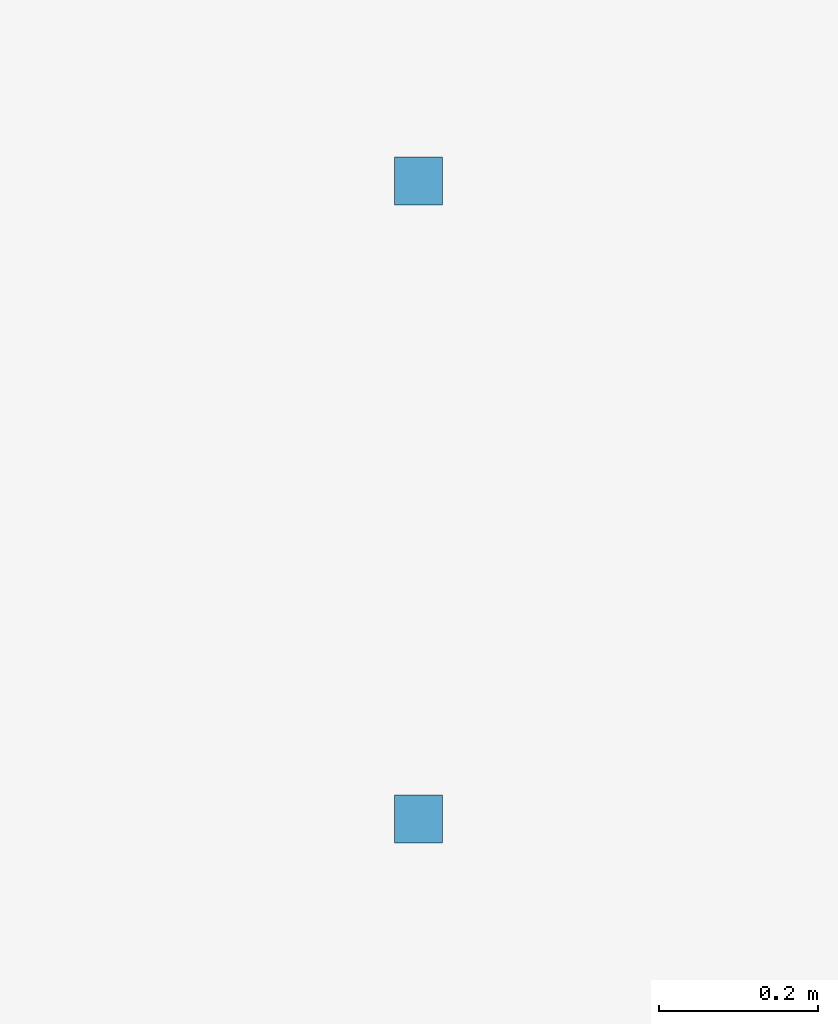
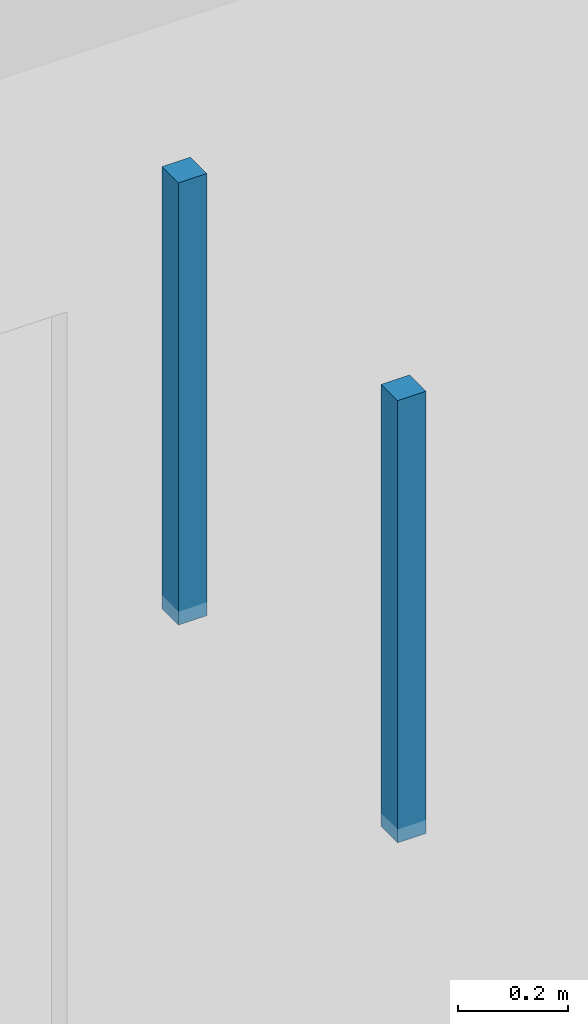
# One storey, part 17 of 29: 2 discrete accessories.
"""IFC4 building model written with IfcOpenShell, lengths in metres."""

from ifc_helpers import new_model, si_unit, direction, frame, origin, origin_2d, place, context, subcontext, project, spatial, rectangle, extrude, material, type_object, element, save


model = new_model("IFC4")

# Units and contexts
model_context = context("Model", 3, precision=1e-05, world=origin(), true_north=direction((0.0, 1.0)))
body_context = subcontext(model_context, "Body", "Model", "MODEL_VIEW")
ifc_project = project(units=[si_unit("LENGTHUNIT", "METRE"), si_unit("AREAUNIT", "SQUARE_METRE"), si_unit("VOLUMEUNIT", "CUBIC_METRE"), si_unit("PLANEANGLEUNIT", "RADIAN"), si_unit("MASSUNIT", "GRAM", prefix="KILO")], contexts=[model_context])

# Site, building, storey
site_placement = place(None, origin())
site = spatial("IfcSite", under=ifc_project, at=site_placement, CompositionType="ELEMENT")
building_placement = place(site_placement, origin())
building = spatial("IfcBuilding", under=site, at=building_placement, Name="Telukmera Botanical Conservatory", CompositionType="ELEMENT")
storey_placement = place(building_placement, frame((0.0, 0.0, 55.5)))
storey = spatial("IfcBuildingStorey", under=building, at=storey_placement, Name="L12", CompositionType="ELEMENT", Elevation=55.5)

# Discrete accessories
ifc_material = material(Name="Steel S355", Category="steel")
discrete_accessory_type = type_object("IfcDiscreteAccessoryType", Name="ACC-CEIL-HGR", PredefinedType="BRACKET", material=ifc_material)
for number, where, z_axis, x_axis, name in (
    (1, (79.27099609375, 31.0, 3.31982421875), (0.0, 0.0, 1.0), (1.0, 0.0, 0.0), "L12 Suspended Ceiling Hanger Rod 011-1"),
    (2, (79.27099609375, 31.800048828125, 3.31982421875), (0.0, 0.0, 1.0), (1.0, 0.0, 0.0), "L12 Suspended Ceiling Hanger Rod 011-2"),
):
    element("IfcDiscreteAccessory", number, at=place(storey_placement, frame(where, z_axis=z_axis, x_axis=x_axis)), inside=storey, type_object=discrete_accessory_type, Name=name, PredefinedType="BRACKET", context=body_context, shape_type="SweptSolid", body=[
        extrude(rectangle(XDim=0.06005859375, YDim=0.06005859375, at=origin_2d()), origin(), (0.0, 0.0, 1.0), 0.985107421875),
    ])

save(model, "model.ifc")
